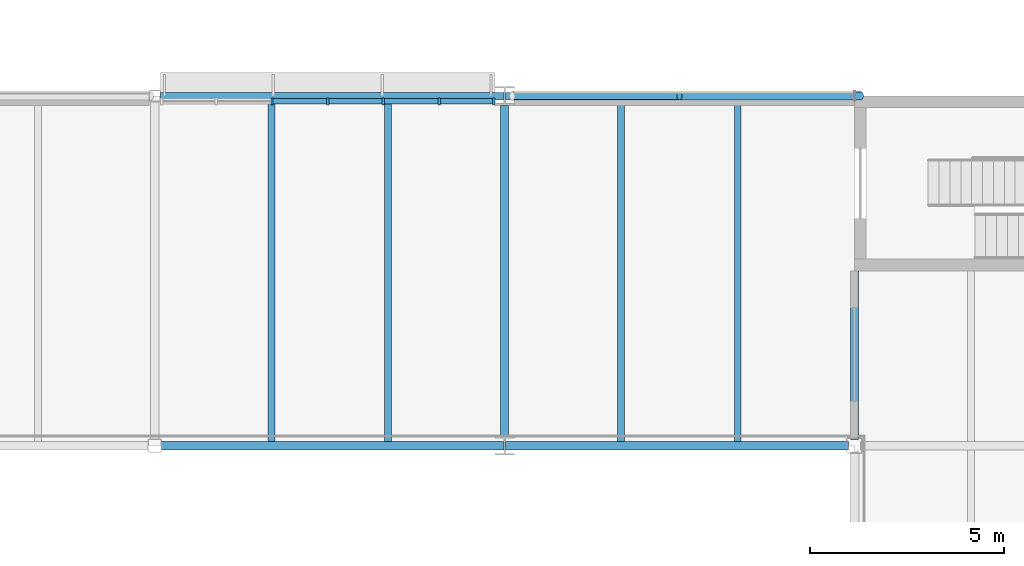
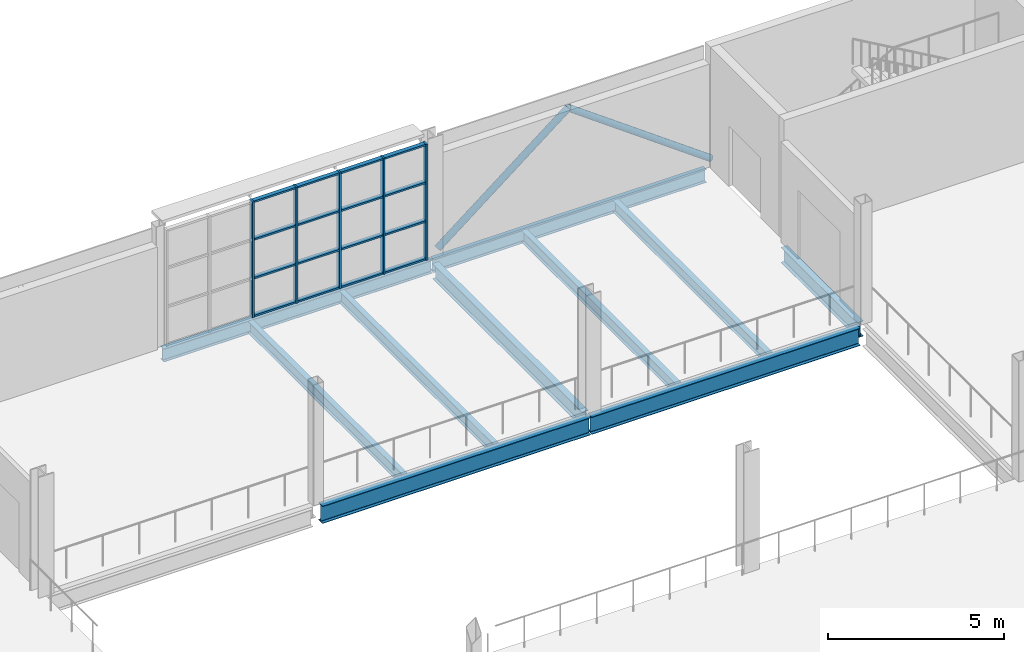
# One storey, part 12 of 57: 23 members, 10 beams, 1 element without a shape of its own.
"""IFC4 building model written with IfcOpenShell, lengths in metres."""

from ifc_helpers import new_model, si_unit, direction, frame, origin, origin_2d, place, context, subcontext, project, spatial, rectangle, hollow_circle, i_section, extrude, material, layer, layer_set, material_profile, profile_set, type_object, element, aggregate, save


model = new_model("IFC4")

# Units and contexts
model_context = context("Model", 3, precision=1e-05, world=origin(), true_north=direction((0.0, 1.0)))
body_context = subcontext(model_context, "Body", "Model", "MODEL_VIEW")
ifc_project = project(units=[si_unit("LENGTHUNIT", "METRE"), si_unit("AREAUNIT", "SQUARE_METRE"), si_unit("VOLUMEUNIT", "CUBIC_METRE"), si_unit("PLANEANGLEUNIT", "RADIAN"), si_unit("MASSUNIT", "GRAM", prefix="KILO")], contexts=[model_context])

# Site, building, storey
site_placement = place(None, origin())
site = spatial("IfcSite", under=ifc_project, at=site_placement, CompositionType="ELEMENT")
building_placement = place(site_placement, origin())
building = spatial("IfcBuilding", under=site, at=building_placement, Name="Halyard Row Museum", CompositionType="ELEMENT")
storey_placement = place(building_placement, frame((0.0, 0.0, 5.0)))
storey = spatial("IfcBuildingStorey", under=building, at=storey_placement, Name="L01", CompositionType="ELEMENT", Elevation=5.0)

# Members
ifc_material_1 = material(Name="Steel Grade C350L0", Category="steel")
ifc_material_profile_1 = material_profile(ifc_material_1, hollow_circle(Radius=0.109619140625, WallThickness=0.00830078125, at=origin_2d()), Name="219.1x8.2CHS")
ifc_profile_set_1 = profile_set([ifc_material_profile_1], Name="Steel Grade C350L0")
member_type_1 = type_object("IfcMemberType", Name="Brace 219.1x8.2CHS", PredefinedType="BRACE", material=ifc_profile_set_1)
member_1_placement = place(storey_placement, frame((54.199951171875, 45.0, 0.109619140625), z_axis=(0.785511381031, 0.0, 0.618847210764), x_axis=(0.0, 1.0, 0.0)))
element("IfcMember", 1, at=member_1_placement, inside=storey, type_object=member_type_1, Name="Brace L01 Y45 54-63 A", PredefinedType="BRACE", context=body_context, shape_type="SweptSolid", body=[
    extrude(hollow_circle(Radius=0.109619140625, WallThickness=0.00830078125, at=origin_2d()), origin(), (0.0, 0.0, 1.0), 5.47412109375),
])
member_2_placement = place(storey_placement, frame((63.169921875, 45.0, 0.109619140625), z_axis=(-0.809666762565, 0.0, 0.586889882003), x_axis=(0.0, -1.0, 0.0)))
element("IfcMember", 2, at=member_2_placement, inside=storey, type_object=member_type_1, Name="Brace L01 Y45 54-63 B", PredefinedType="BRACE", context=body_context, shape_type="SweptSolid", body=[
    extrude(hollow_circle(Radius=0.109619140625, WallThickness=0.00830078125, at=origin_2d()), origin(), (0.0, 0.0, 1.0), 5.767822265625),
])

# Curtain wall, members
ifc_material_2 = material(Name="Double glazed unit, low-emissivity", Category="glass")
ifc_layer = layer(ifc_material_2, 0.179931640625)
ifc_layer_set = layer_set([ifc_layer], Name="Double glazed unit, low-emissivity")
curtain_wall_type = type_object("IfcCurtainWallType", Name="Curtain wall stick 180 deep", PredefinedType="NOTDEFINED", material=ifc_layer_set)
curtain_wall_placement = place(storey_placement, origin())
curtain_wall = element("IfcCurtainWall", 3, at=curtain_wall_placement, inside=storey, type_object=curtain_wall_type, Name="Curtain wall CW022", PredefinedType="NOTDEFINED")
ifc_material_3 = material(Name="Powder-coated aluminium section", Category="aluminium")
ifc_material_profile_2 = material_profile(ifc_material_3, rectangle(XDim=0.179931640625, YDim=0.06005859375, at=origin_2d()), Name="180x60 mullion")
ifc_profile_set_2 = profile_set([ifc_material_profile_2], Name="Powder-coated aluminium section")
member_type_2 = type_object("IfcMemberType", Name="Curtain wall mullion CM2 60 x 180", PredefinedType="MULLION", material=ifc_profile_set_2)
member_3_placement = place(storey_placement, frame((53.719970703125, 44.860107421875, 0.0), z_axis=(0.0, 0.0, 1.0), x_axis=(0.0, -1.0, 0.0)))
member_3 = element("IfcMember", 4, at=member_3_placement, type_object=member_type_2, Name="CW022 mullion 1", PredefinedType="MULLION", context=body_context, shape_type="SweptSolid", body=[
    extrude(rectangle(XDim=0.179931640625, YDim=0.06005859375, at=origin_2d()), origin(), (0.0, 0.0, 1.0), 4.034912109375),
])
member_4_placement = place(storey_placement, frame((52.316650390625, 44.860107421875, 0.0), z_axis=(0.0, 0.0, 1.0), x_axis=(0.0, -1.0, 0.0)))
member_4 = element("IfcMember", 5, at=member_4_placement, type_object=member_type_2, Name="CW022 mullion 2", PredefinedType="MULLION", context=body_context, shape_type="SweptSolid", body=[
    extrude(rectangle(XDim=0.179931640625, YDim=0.06005859375, at=origin_2d()), origin(), (0.0, 0.0, 1.0), 4.034912109375),
])
member_5_placement = place(storey_placement, frame((50.88330078125, 44.860107421875, 0.0), z_axis=(0.0, 0.0, 1.0), x_axis=(0.0, -1.0, 0.0)))
member_5 = element("IfcMember", 6, at=member_5_placement, type_object=member_type_2, Name="CW022 mullion 3", PredefinedType="MULLION", context=body_context, shape_type="SweptSolid", body=[
    extrude(rectangle(XDim=0.179931640625, YDim=0.06005859375, at=origin_2d()), origin(), (0.0, 0.0, 1.0), 4.034912109375),
])
member_6_placement = place(storey_placement, frame((49.449951171875, 44.860107421875, 0.0), z_axis=(0.0, 0.0, 1.0), x_axis=(0.0, -1.0, 0.0)))
member_6 = element("IfcMember", 7, at=member_6_placement, type_object=member_type_2, Name="CW022 mullion 4", PredefinedType="MULLION", context=body_context, shape_type="SweptSolid", body=[
    extrude(rectangle(XDim=0.179931640625, YDim=0.06005859375, at=origin_2d()), origin(), (0.0, 0.0, 1.0), 4.034912109375),
])
member_7_placement = place(storey_placement, frame((48.0166015625, 44.860107421875, 0.0), z_axis=(0.0, 0.0, 1.0), x_axis=(0.0, -1.0, 0.0)))
member_7 = element("IfcMember", 8, at=member_7_placement, type_object=member_type_2, Name="CW022 mullion 5", PredefinedType="MULLION", context=body_context, shape_type="SweptSolid", body=[
    extrude(rectangle(XDim=0.179931640625, YDim=0.06005859375, at=origin_2d()), origin(), (0.0, 0.0, 1.0), 4.034912109375),
])
ifc_material_4 = material(Name="Powder-coated aluminium section", Category="aluminium")
ifc_material_profile_3 = material_profile(ifc_material_4, rectangle(XDim=0.139892578125, YDim=0.06005859375, at=origin_2d()), Name="140x60 transom")
ifc_profile_set_3 = profile_set([ifc_material_profile_3], Name="Powder-coated aluminium section")
member_type_3 = type_object("IfcMemberType", Name="Curtain wall transom CT2 60 x 140", PredefinedType="USERDEFINED", material=ifc_profile_set_3)
member_8_placement = place(storey_placement, frame((53.68994140625, 44.860107421875, 0.030029296875), z_axis=(-1.0, 0.0, 0.0), x_axis=(0.0, -1.0, 0.0)))
member_8 = element("IfcMember", 9, at=member_8_placement, type_object=member_type_3, Name="CW022 transom 1.1", ObjectType="TRANSOM", PredefinedType="USERDEFINED", context=body_context, shape_type="SweptSolid", body=[
    extrude(rectangle(XDim=0.139892578125, YDim=0.06005859375, at=origin_2d()), origin(), (0.0, 0.0, 1.0), 1.34326171875),
])
member_9_placement = place(storey_placement, frame((53.68994140625, 44.860107421875, 1.344970703125), z_axis=(-1.0, 0.0, 0.0), x_axis=(0.0, -1.0, 0.0)))
member_9 = element("IfcMember", 10, at=member_9_placement, type_object=member_type_3, Name="CW022 transom 1.2", ObjectType="TRANSOM", PredefinedType="USERDEFINED", context=body_context, shape_type="SweptSolid", body=[
    extrude(rectangle(XDim=0.139892578125, YDim=0.06005859375, at=origin_2d()), origin(), (0.0, 0.0, 1.0), 1.34326171875),
])
member_10_placement = place(storey_placement, frame((53.68994140625, 44.860107421875, 2.68994140625), z_axis=(-1.0, 0.0, 0.0), x_axis=(0.0, -1.0, 0.0)))
member_10 = element("IfcMember", 11, at=member_10_placement, type_object=member_type_3, Name="CW022 transom 1.3", ObjectType="TRANSOM", PredefinedType="USERDEFINED", context=body_context, shape_type="SweptSolid", body=[
    extrude(rectangle(XDim=0.139892578125, YDim=0.06005859375, at=origin_2d()), origin(), (0.0, 0.0, 1.0), 1.34326171875),
])
member_11_placement = place(storey_placement, frame((53.68994140625, 44.860107421875, 4.0048828125), z_axis=(-1.0, 0.0, 0.0), x_axis=(0.0, -1.0, 0.0)))
member_11 = element("IfcMember", 12, at=member_11_placement, type_object=member_type_3, Name="CW022 transom 1.4", ObjectType="TRANSOM", PredefinedType="USERDEFINED", context=body_context, shape_type="SweptSolid", body=[
    extrude(rectangle(XDim=0.139892578125, YDim=0.06005859375, at=origin_2d()), origin(), (0.0, 0.0, 1.0), 1.34326171875),
])
member_12_placement = place(storey_placement, frame((52.28662109375, 44.860107421875, 0.030029296875), z_axis=(-1.0, 0.0, 0.0), x_axis=(0.0, -1.0, 0.0)))
member_12 = element("IfcMember", 13, at=member_12_placement, type_object=member_type_3, Name="CW022 transom 2.1", ObjectType="TRANSOM", PredefinedType="USERDEFINED", context=body_context, shape_type="SweptSolid", body=[
    extrude(rectangle(XDim=0.139892578125, YDim=0.06005859375, at=origin_2d()), origin(), (0.0, 0.0, 1.0), 1.373291015625),
])
member_13_placement = place(storey_placement, frame((52.28662109375, 44.860107421875, 1.344970703125), z_axis=(-1.0, 0.0, 0.0), x_axis=(0.0, -1.0, 0.0)))
member_13 = element("IfcMember", 14, at=member_13_placement, type_object=member_type_3, Name="CW022 transom 2.2", ObjectType="TRANSOM", PredefinedType="USERDEFINED", context=body_context, shape_type="SweptSolid", body=[
    extrude(rectangle(XDim=0.139892578125, YDim=0.06005859375, at=origin_2d()), origin(), (0.0, 0.0, 1.0), 1.373291015625),
])
member_14_placement = place(storey_placement, frame((52.28662109375, 44.860107421875, 2.68994140625), z_axis=(-1.0, 0.0, 0.0), x_axis=(0.0, -1.0, 0.0)))
member_14 = element("IfcMember", 15, at=member_14_placement, type_object=member_type_3, Name="CW022 transom 2.3", ObjectType="TRANSOM", PredefinedType="USERDEFINED", context=body_context, shape_type="SweptSolid", body=[
    extrude(rectangle(XDim=0.139892578125, YDim=0.06005859375, at=origin_2d()), origin(), (0.0, 0.0, 1.0), 1.373291015625),
])
member_15_placement = place(storey_placement, frame((52.28662109375, 44.860107421875, 4.0048828125), z_axis=(-1.0, 0.0, 0.0), x_axis=(0.0, -1.0, 0.0)))
member_15 = element("IfcMember", 16, at=member_15_placement, type_object=member_type_3, Name="CW022 transom 2.4", ObjectType="TRANSOM", PredefinedType="USERDEFINED", context=body_context, shape_type="SweptSolid", body=[
    extrude(rectangle(XDim=0.139892578125, YDim=0.06005859375, at=origin_2d()), origin(), (0.0, 0.0, 1.0), 1.373291015625),
])
member_16_placement = place(storey_placement, frame((50.853271484375, 44.860107421875, 0.030029296875), z_axis=(-1.0, 0.0, 0.0), x_axis=(0.0, -1.0, 0.0)))
member_16 = element("IfcMember", 17, at=member_16_placement, type_object=member_type_3, Name="CW022 transom 3.1", ObjectType="TRANSOM", PredefinedType="USERDEFINED", context=body_context, shape_type="SweptSolid", body=[
    extrude(rectangle(XDim=0.139892578125, YDim=0.06005859375, at=origin_2d()), origin(), (0.0, 0.0, 1.0), 1.373291015625),
])
member_17_placement = place(storey_placement, frame((50.853271484375, 44.860107421875, 1.344970703125), z_axis=(-1.0, 0.0, 0.0), x_axis=(0.0, -1.0, 0.0)))
member_17 = element("IfcMember", 18, at=member_17_placement, type_object=member_type_3, Name="CW022 transom 3.2", ObjectType="TRANSOM", PredefinedType="USERDEFINED", context=body_context, shape_type="SweptSolid", body=[
    extrude(rectangle(XDim=0.139892578125, YDim=0.06005859375, at=origin_2d()), origin(), (0.0, 0.0, 1.0), 1.373291015625),
])
member_18_placement = place(storey_placement, frame((50.853271484375, 44.860107421875, 2.68994140625), z_axis=(-1.0, 0.0, 0.0), x_axis=(0.0, -1.0, 0.0)))
member_18 = element("IfcMember", 19, at=member_18_placement, type_object=member_type_3, Name="CW022 transom 3.3", ObjectType="TRANSOM", PredefinedType="USERDEFINED", context=body_context, shape_type="SweptSolid", body=[
    extrude(rectangle(XDim=0.139892578125, YDim=0.06005859375, at=origin_2d()), origin(), (0.0, 0.0, 1.0), 1.373291015625),
])
member_19_placement = place(storey_placement, frame((50.853271484375, 44.860107421875, 4.0048828125), z_axis=(-1.0, 0.0, 0.0), x_axis=(0.0, -1.0, 0.0)))
member_19 = element("IfcMember", 20, at=member_19_placement, type_object=member_type_3, Name="CW022 transom 3.4", ObjectType="TRANSOM", PredefinedType="USERDEFINED", context=body_context, shape_type="SweptSolid", body=[
    extrude(rectangle(XDim=0.139892578125, YDim=0.06005859375, at=origin_2d()), origin(), (0.0, 0.0, 1.0), 1.373291015625),
])
member_20_placement = place(storey_placement, frame((49.419921875, 44.860107421875, 0.030029296875), z_axis=(-1.0, 0.0, 0.0), x_axis=(0.0, -1.0, 0.0)))
member_20 = element("IfcMember", 21, at=member_20_placement, type_object=member_type_3, Name="CW022 transom 4.1", ObjectType="TRANSOM", PredefinedType="USERDEFINED", context=body_context, shape_type="SweptSolid", body=[
    extrude(rectangle(XDim=0.139892578125, YDim=0.06005859375, at=origin_2d()), origin(), (0.0, 0.0, 1.0), 1.373291015625),
])
member_21_placement = place(storey_placement, frame((49.419921875, 44.860107421875, 1.344970703125), z_axis=(-1.0, 0.0, 0.0), x_axis=(0.0, -1.0, 0.0)))
member_21 = element("IfcMember", 22, at=member_21_placement, type_object=member_type_3, Name="CW022 transom 4.2", ObjectType="TRANSOM", PredefinedType="USERDEFINED", context=body_context, shape_type="SweptSolid", body=[
    extrude(rectangle(XDim=0.139892578125, YDim=0.06005859375, at=origin_2d()), origin(), (0.0, 0.0, 1.0), 1.373291015625),
])
member_22_placement = place(storey_placement, frame((49.419921875, 44.860107421875, 2.68994140625), z_axis=(-1.0, 0.0, 0.0), x_axis=(0.0, -1.0, 0.0)))
member_22 = element("IfcMember", 23, at=member_22_placement, type_object=member_type_3, Name="CW022 transom 4.3", ObjectType="TRANSOM", PredefinedType="USERDEFINED", context=body_context, shape_type="SweptSolid", body=[
    extrude(rectangle(XDim=0.139892578125, YDim=0.06005859375, at=origin_2d()), origin(), (0.0, 0.0, 1.0), 1.373291015625),
])
member_23_placement = place(storey_placement, frame((49.419921875, 44.860107421875, 4.0048828125), z_axis=(-1.0, 0.0, 0.0), x_axis=(0.0, -1.0, 0.0)))
member_23 = element("IfcMember", 24, at=member_23_placement, type_object=member_type_3, Name="CW022 transom 4.4", ObjectType="TRANSOM", PredefinedType="USERDEFINED", context=body_context, shape_type="SweptSolid", body=[
    extrude(rectangle(XDim=0.139892578125, YDim=0.06005859375, at=origin_2d()), origin(), (0.0, 0.0, 1.0), 1.373291015625),
])
aggregate(curtain_wall, [member_3, member_4, member_5, member_6, member_7, member_8, member_9, member_10, member_11, member_12, member_13, member_14, member_15, member_16, member_17, member_18, member_19, member_20, member_21, member_22, member_23])

# Beams
ifc_material_5 = material(Name="Steel Grade 300", Category="steel")
ifc_material_profile_4 = material_profile(ifc_material_5, i_section(OverallWidth=0.18994140625, OverallDepth=0.45751953125, WebThickness=0.009033203125, FlangeThickness=0.014404296875, FilletRadius=0.011474609375, at=origin_2d()), Name="460UB74.6")
ifc_profile_set_4 = profile_set([ifc_material_profile_4], Name="Steel Grade 300")
beam_type_1 = type_object("IfcBeamType", Name="Edge beam 460UB74.6", PredefinedType="BEAM", material=ifc_profile_set_4)
beam_1_placement = place(storey_placement, frame((45.14990234375, 45.0, -0.393798828125), z_axis=(1.0, 0.0, 0.0), x_axis=(0.0, 1.0, 0.0)))
element("IfcBeam", 25, at=beam_1_placement, inside=storey, type_object=beam_type_1, Name="Beam L01-036", PredefinedType="BEAM", context=body_context, shape_type="SweptSolid", body=[
    extrude(i_section(OverallWidth=0.18994140625, OverallDepth=0.45751953125, WebThickness=0.009033203125, FlangeThickness=0.014404296875, FilletRadius=0.011474609375, at=origin_2d()), origin(), (0.0, 0.0, 1.0), 8.830078125),
])
beam_2_placement = place(storey_placement, frame((54.02001953125, 45.0, -0.393798828125), z_axis=(1.0, 0.0, 0.0), x_axis=(0.0, 1.0, 0.0)))
element("IfcBeam", 26, at=beam_2_placement, inside=storey, type_object=beam_type_1, Name="Beam L01-037", PredefinedType="BEAM", context=body_context, shape_type="SweptSolid", body=[
    extrude(i_section(OverallWidth=0.18994140625, OverallDepth=0.45751953125, WebThickness=0.009033203125, FlangeThickness=0.014404296875, FilletRadius=0.011474609375, at=origin_2d()), origin(), (0.0, 0.0, 1.0), 8.97998046875),
])
ifc_material_6 = material(Name="Steel Grade 300", Category="steel")
ifc_material_profile_5 = material_profile(ifc_material_6, i_section(OverallWidth=0.208984375, OverallDepth=0.532958984375, WebThickness=0.01025390625, FlangeThickness=0.015625, FilletRadius=0.013916015625, at=origin_2d()), Name="530UB92.4")
ifc_profile_set_5 = profile_set([ifc_material_profile_5], Name="Steel Grade 300")
beam_type_2 = type_object("IfcBeamType", Name="Girder beam 530UB92.4", PredefinedType="BEAM", material=ifc_profile_set_5)
beam_3_placement = place(storey_placement, frame((54.0, 36.239990234375, -0.431396484375), z_axis=(0.0, 1.0, 0.0), x_axis=(-1.0, 0.0, 0.0)))
element("IfcBeam", 27, at=beam_3_placement, inside=storey, type_object=beam_type_2, Name="Beam L01-058", PredefinedType="BEAM", context=body_context, shape_type="SweptSolid", body=[
    extrude(i_section(OverallWidth=0.208984375, OverallDepth=0.532958984375, WebThickness=0.01025390625, FlangeThickness=0.015625, FilletRadius=0.013916015625, at=origin_2d()), origin(), (0.0, 0.0, 1.0), 8.52001953125),
])
beam_4_placement = place(storey_placement, frame((63.0, 36.16357421875, -0.431396484375), z_axis=(0.0, 1.0, 0.0), x_axis=(-1.0, 0.0, 0.0)))
element("IfcBeam", 28, at=beam_4_placement, inside=storey, type_object=beam_type_2, Name="Beam L01-061", PredefinedType="BEAM", context=body_context, shape_type="SweptSolid", body=[
    extrude(i_section(OverallWidth=0.208984375, OverallDepth=0.532958984375, WebThickness=0.01025390625, FlangeThickness=0.015625, FilletRadius=0.013916015625, at=origin_2d()), origin(), (0.0, 0.0, 1.0), 4.33642578125),
])
ifc_material_7 = material(Name="Steel Grade 300", Category="steel")
ifc_material_profile_6 = material_profile(ifc_material_7, i_section(OverallWidth=0.177978515625, OverallDepth=0.406494140625, WebThickness=0.0078125, FlangeThickness=0.0126953125, FilletRadius=0.011474609375, at=origin_2d()), Name="410UB59.7")
ifc_profile_set_6 = profile_set([ifc_material_profile_6], Name="Steel Grade 300")
beam_type_3 = type_object("IfcBeamType", Name="Secondary beam 410UB59.7", PredefinedType="BEAM", material=ifc_profile_set_6)
for number, where, z_axis, x_axis, name in (
    (29, (48.0, 36.114013671875, -0.3681640625), (0.0, 1.0, 0.0), (-1.0, 0.0, 0.0), "Beam L01-133"),
    (30, (51.0, 36.114013671875, -0.3681640625), (0.0, 1.0, 0.0), (-1.0, 0.0, 0.0), "Beam L01-134"),
    (31, (57.0, 36.114013671875, -0.3681640625), (0.0, 1.0, 0.0), (-1.0, 0.0, 0.0), "Beam L01-135"),
    (32, (60.0, 36.114013671875, -0.3681640625), (0.0, 1.0, 0.0), (-1.0, 0.0, 0.0), "Beam L01-136"),
):
    element("IfcBeam", number, at=place(storey_placement, frame(where, z_axis=z_axis, x_axis=x_axis)), inside=storey, type_object=beam_type_3, Name=name, PredefinedType="BEAM", context=body_context, shape_type="SweptSolid", body=[
        extrude(i_section(OverallWidth=0.177978515625, OverallDepth=0.406494140625, WebThickness=0.0078125, FlangeThickness=0.0126953125, FilletRadius=0.011474609375, at=origin_2d()), origin(), (0.0, 0.0, 1.0), 8.791015625),
    ])
ifc_material_8 = material(Name="Steel Grade 300", Category="steel")
ifc_material_profile_7 = material_profile(ifc_material_8, i_section(OverallWidth=0.22802734375, OverallDepth=0.60693359375, WebThickness=0.01123046875, FlangeThickness=0.017333984375, FilletRadius=0.013916015625, at=origin_2d()), Name="610UB113")
ifc_profile_set_7 = profile_set([ifc_material_profile_7], Name="Steel Grade 300")
beam_type_4 = type_object("IfcBeamType", Name="Void edge beam 610UB113", PredefinedType="BEAM", material=ifc_profile_set_7)
beam_5_placement = place(storey_placement, frame((45.154541015625, 36.0, -0.468505859375), z_axis=(1.0, 0.0, 0.0), x_axis=(0.0, 1.0, 0.0)))
element("IfcBeam", 33, at=beam_5_placement, inside=storey, type_object=beam_type_4, Name="Beam L01-028", PredefinedType="BEAM", context=body_context, shape_type="SweptSolid", body=[
    extrude(i_section(OverallWidth=0.22802734375, OverallDepth=0.60693359375, WebThickness=0.01123046875, FlangeThickness=0.017333984375, FilletRadius=0.013916015625, at=origin_2d()), origin(), (0.0, 0.0, 1.0), 8.825439453125),
])
beam_6_placement = place(storey_placement, frame((54.02001953125, 36.0, -0.468505859375), z_axis=(1.0, 0.0, 0.0), x_axis=(0.0, 1.0, 0.0)))
element("IfcBeam", 34, at=beam_6_placement, inside=storey, type_object=beam_type_4, Name="Beam L01-029", PredefinedType="BEAM", context=body_context, shape_type="SweptSolid", body=[
    extrude(i_section(OverallWidth=0.22802734375, OverallDepth=0.60693359375, WebThickness=0.01123046875, FlangeThickness=0.017333984375, FilletRadius=0.013916015625, at=origin_2d()), origin(), (0.0, 0.0, 1.0), 8.824462890625),
])

save(model, "model.ifc")
